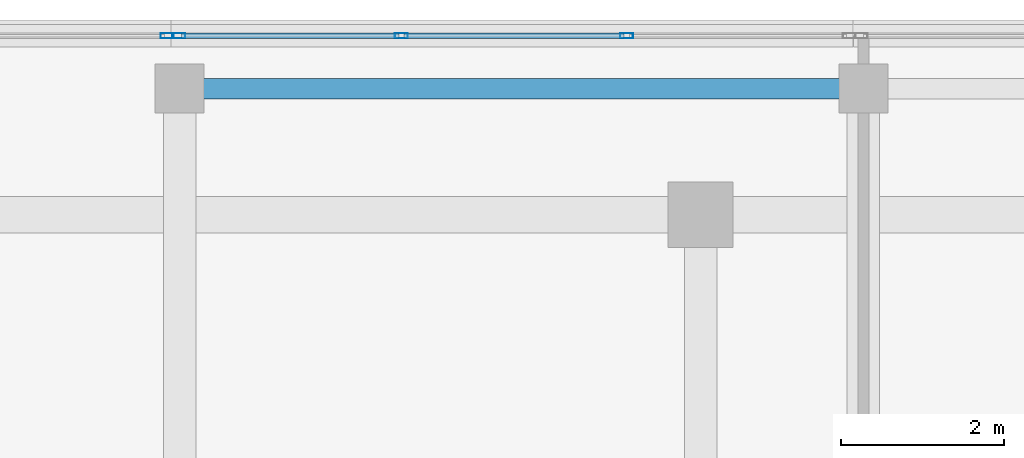
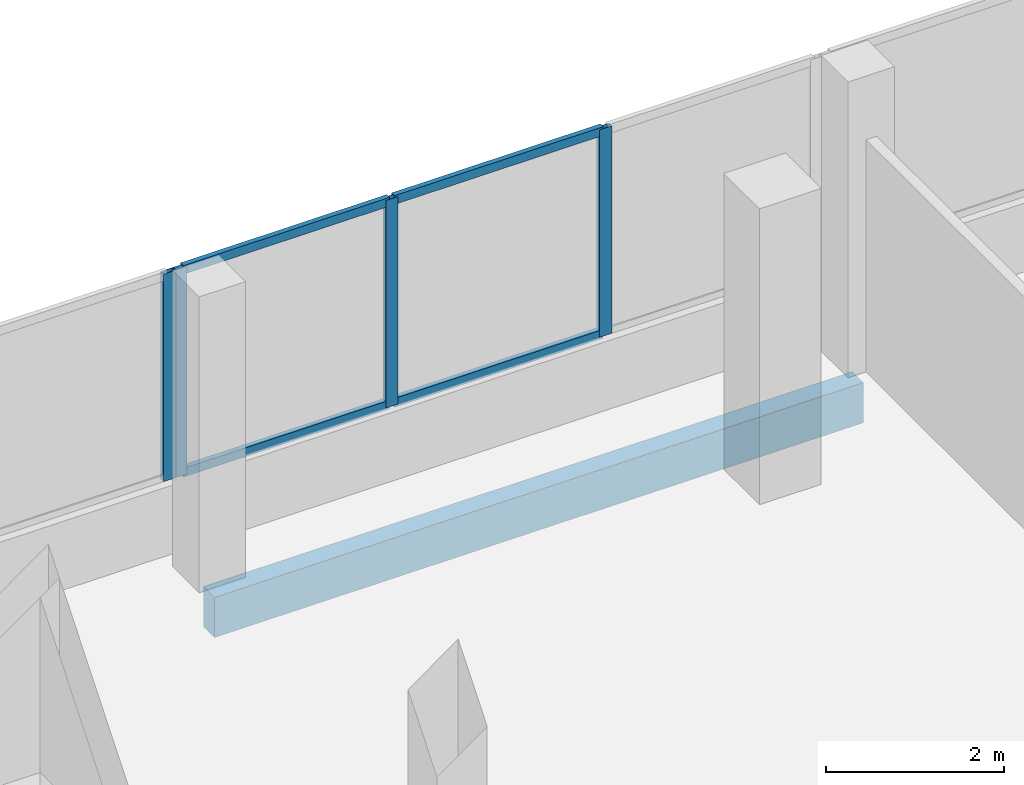
# One storey, part 25 of 76: 8 members, 1 beam, 2 elements without a shape of their own.
"""IFC4 building model written with IfcOpenShell, lengths in metres."""

from ifc_helpers import new_model, si_unit, direction, frame, origin, origin_2d, place, context, subcontext, project, spatial, rectangle, hollow_rectangle, extrude, material, material_profile, profile_set, type_object, element, aggregate, save


model = new_model("IFC4")

# Units and contexts
model_context = context("Model", 3, precision=1e-05, world=origin(), true_north=direction((0.0, 1.0)))
body_context = subcontext(model_context, "Body", "Model", "MODEL_VIEW")
ifc_project = project(units=[si_unit("LENGTHUNIT", "METRE"), si_unit("AREAUNIT", "SQUARE_METRE"), si_unit("VOLUMEUNIT", "CUBIC_METRE"), si_unit("PLANEANGLEUNIT", "RADIAN"), si_unit("MASSUNIT", "GRAM", prefix="KILO")], contexts=[model_context])

# Site, building, storey
site_placement = place(None, origin())
site = spatial("IfcSite", under=ifc_project, at=site_placement, CompositionType="ELEMENT")
building_placement = place(site_placement, origin())
building = spatial("IfcBuilding", under=site, at=building_placement, Name="Selatvlak General Hospital", CompositionType="ELEMENT")
storey_placement = place(building_placement, frame((0.0, 0.0, 27.300048828125)))
storey = spatial("IfcBuildingStorey", under=building, at=storey_placement, Name="L06", CompositionType="ELEMENT", Elevation=27.300048828125)

# Beam
ifc_material_1 = material(Name="Concrete C40/50", Category="concrete")
ifc_material_profile_1 = material_profile(ifc_material_1, rectangle(XDim=0.25, YDim=0.550048828125, at=origin_2d()), Name="RC-SP 250x550")
ifc_profile_set_1 = profile_set([ifc_material_profile_1], Name="Concrete C40/50")
beam_type = type_object("IfcBeamType", Name="BM-SP2", PredefinedType="SPANDREL", material=ifc_profile_set_1)
beam_placement = place(storey_placement, frame((64.800048828125, 119.35009765625, -0.550048828125), z_axis=(1.0, 0.0, 0.0), x_axis=(0.0, 1.0, 0.0)))
element("IfcBeam", 1, at=beam_placement, inside=storey, type_object=beam_type, Name="Beam BMR-L06-2233", PredefinedType="SPANDREL", context=body_context, shape_type="SweptSolid", body=[
    extrude(rectangle(XDim=0.25, YDim=0.550048828125, at=origin_2d()), origin(), (0.0, 0.0, 1.0), 8.39990234375),
])

# Curtain wall, member
ifc_material_2 = material(Name="Solar-control Low-E double glazing", Category="glass")
curtain_wall_type_1 = type_object("IfcCurtainWallType", Name="CW-CW-02", PredefinedType="USERDEFINED", material=ifc_material_2)
curtain_wall_1_placement = place(storey_placement, origin())
curtain_wall_1 = element("IfcCurtainWall", 2, at=curtain_wall_1_placement, inside=storey, type_object=curtain_wall_type_1, Name="Glazed facade curtain wall CW-L06-0602", ObjectType="UNITISED CURTAIN WALL", PredefinedType="USERDEFINED")
ifc_material_3 = material(Name="Dark anodised aluminium mullion", Category="aluminium")
ifc_material_profile_2 = material_profile(ifc_material_3, hollow_rectangle(XDim=0.06494140625, YDim=0.159912109375, WallThickness=0.00390625, at=origin_2d()), Name="AL-MUL 65x160x4")
ifc_profile_set_2 = profile_set([ifc_material_profile_2], Name="Dark anodised aluminium mullion")
member_type_1 = type_object("IfcMemberType", Name="CWM-01", PredefinedType="MULLION", material=ifc_profile_set_2)
member_1_placement = place(storey_placement, frame((64.646484375, 119.9990234375, 0.93994140625), z_axis=(0.0, 0.0, 1.0), x_axis=(0.0, 1.0, 0.0)))
member_1 = element("IfcMember", 3, at=member_1_placement, type_object=member_type_1, Name="CW-02 mullion 4", PredefinedType="MULLION", context=body_context, shape_type="SweptSolid", body=[
    extrude(hollow_rectangle(XDim=0.06494140625, YDim=0.159912109375, WallThickness=0.00390625, at=origin_2d()), origin(), (0.0, 0.0, 1.0), 2.840087890625),
])
aggregate(curtain_wall_1, [member_1])

# Curtain wall, members
curtain_wall_type_2 = type_object("IfcCurtainWallType", Name="CW-CW-01", PredefinedType="USERDEFINED", material=ifc_material_2)
curtain_wall_2_placement = place(storey_placement, origin())
curtain_wall_2 = element("IfcCurtainWall", 4, at=curtain_wall_2_placement, inside=storey, type_object=curtain_wall_type_2, Name="Glazed facade curtain wall CW-L06-0603", ObjectType="UNITISED CURTAIN WALL", PredefinedType="USERDEFINED")
member_2_placement = place(storey_placement, frame((64.79150390625, 119.9990234375, 0.93994140625), z_axis=(0.0, 0.0, 1.0), x_axis=(0.0, 1.0, 0.0)))
member_2 = element("IfcMember", 5, at=member_2_placement, type_object=member_type_1, Name="CW-01 mullion 1", PredefinedType="MULLION", context=body_context, shape_type="SweptSolid", body=[
    extrude(hollow_rectangle(XDim=0.06494140625, YDim=0.159912109375, WallThickness=0.00390625, at=origin_2d()), origin(), (0.0, 0.0, 1.0), 2.840087890625),
])
member_3_placement = place(storey_placement, frame((67.525390625, 119.9990234375, 0.93994140625), z_axis=(0.0, 0.0, 1.0), x_axis=(0.0, 1.0, 0.0)))
member_3 = element("IfcMember", 6, at=member_3_placement, type_object=member_type_1, Name="CW-01 mullion 2", PredefinedType="MULLION", context=body_context, shape_type="SweptSolid", body=[
    extrude(hollow_rectangle(XDim=0.06494140625, YDim=0.159912109375, WallThickness=0.00390625, at=origin_2d()), origin(), (0.0, 0.0, 1.0), 2.840087890625),
])
member_4_placement = place(storey_placement, frame((70.291748046875, 119.9990234375, 0.93994140625), z_axis=(0.0, 0.0, 1.0), x_axis=(0.0, 1.0, 0.0)))
member_4 = element("IfcMember", 7, at=member_4_placement, type_object=member_type_1, Name="CW-01 mullion 3", PredefinedType="MULLION", context=body_context, shape_type="SweptSolid", body=[
    extrude(hollow_rectangle(XDim=0.06494140625, YDim=0.159912109375, WallThickness=0.00390625, at=origin_2d()), origin(), (0.0, 0.0, 1.0), 2.840087890625),
])
ifc_material_profile_3 = material_profile(ifc_material_3, hollow_rectangle(XDim=0.06494140625, YDim=0.1201171875, WallThickness=0.00390625, at=origin_2d()), Name="AL-TRN 65x120x4")
ifc_profile_set_3 = profile_set([ifc_material_profile_3], Name="Dark anodised aluminium mullion")
member_type_2 = type_object("IfcMemberType", Name="CWT-01", PredefinedType="USERDEFINED", material=ifc_profile_set_3)
member_5_placement = place(storey_placement, frame((64.823974609375, 119.9990234375, 0.972412109375), z_axis=(1.0, 0.0, 0.0), x_axis=(0.0, 1.0, 0.0)))
member_5 = element("IfcMember", 8, at=member_5_placement, type_object=member_type_2, Name="CW-01 transom 1.1", ObjectType="TRANSOM", PredefinedType="USERDEFINED", context=body_context, shape_type="SweptSolid", body=[
    extrude(hollow_rectangle(XDim=0.06494140625, YDim=0.1201171875, WallThickness=0.00390625, at=origin_2d()), origin(), (0.0, 0.0, 1.0), 2.6689453125),
])
member_6_placement = place(storey_placement, frame((64.823974609375, 119.9990234375, 3.74755859375), z_axis=(1.0, 0.0, 0.0), x_axis=(0.0, 1.0, 0.0)))
member_6 = element("IfcMember", 9, at=member_6_placement, type_object=member_type_2, Name="CW-01 transom 1.2", ObjectType="TRANSOM", PredefinedType="USERDEFINED", context=body_context, shape_type="SweptSolid", body=[
    extrude(hollow_rectangle(XDim=0.06494140625, YDim=0.1201171875, WallThickness=0.00390625, at=origin_2d()), origin(), (0.0, 0.0, 1.0), 2.6689453125),
])
member_7_placement = place(storey_placement, frame((67.557861328125, 119.9990234375, 0.972412109375), z_axis=(1.0, 0.0, 0.0), x_axis=(0.0, 1.0, 0.0)))
member_7 = element("IfcMember", 10, at=member_7_placement, type_object=member_type_2, Name="CW-01 transom 2.1", ObjectType="TRANSOM", PredefinedType="USERDEFINED", context=body_context, shape_type="SweptSolid", body=[
    extrude(hollow_rectangle(XDim=0.06494140625, YDim=0.1201171875, WallThickness=0.00390625, at=origin_2d()), origin(), (0.0, 0.0, 1.0), 2.701416015625),
])
member_8_placement = place(storey_placement, frame((67.557861328125, 119.9990234375, 3.74755859375), z_axis=(1.0, 0.0, 0.0), x_axis=(0.0, 1.0, 0.0)))
member_8 = element("IfcMember", 11, at=member_8_placement, type_object=member_type_2, Name="CW-01 transom 2.2", ObjectType="TRANSOM", PredefinedType="USERDEFINED", context=body_context, shape_type="SweptSolid", body=[
    extrude(hollow_rectangle(XDim=0.06494140625, YDim=0.1201171875, WallThickness=0.00390625, at=origin_2d()), origin(), (0.0, 0.0, 1.0), 2.701416015625),
])
aggregate(curtain_wall_2, [member_2, member_3, member_4, member_5, member_6, member_7, member_8])

save(model, "model.ifc")
